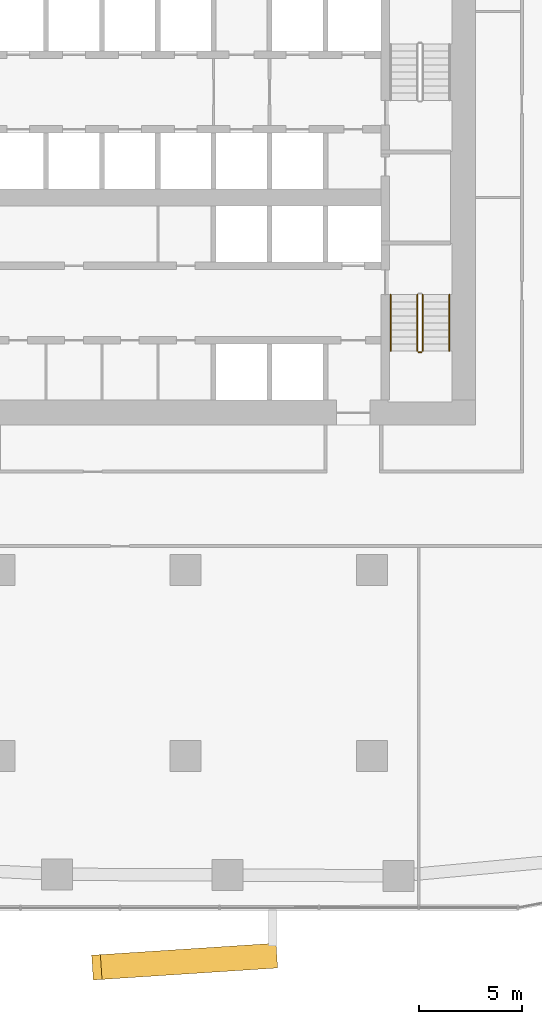
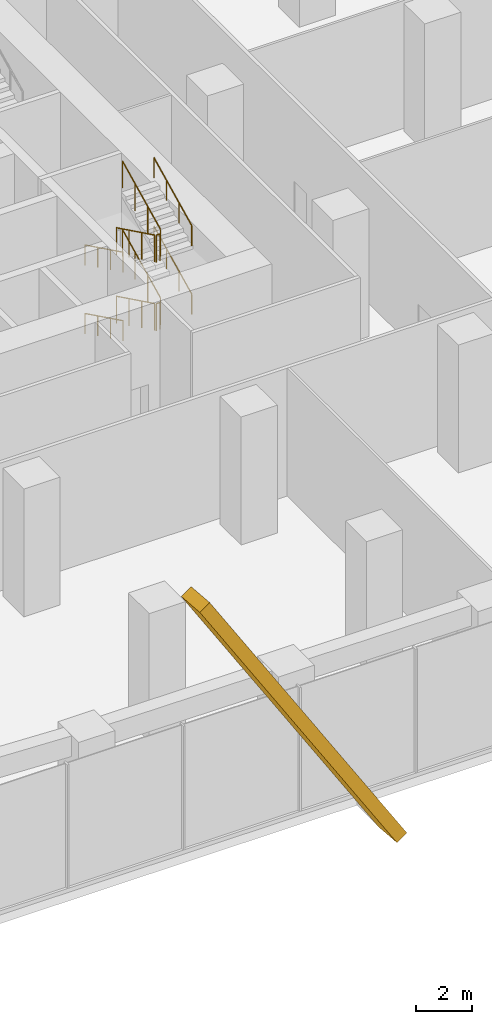
# One storey, part 16 of 19: 10 railings, 1 covering, 1 element without a shape of its own.
"""IFC4 building model written with IfcOpenShell, lengths in metres."""

from ifc_helpers import new_model, si_unit, direction, frame, origin, origin_2d, place, context, subcontext, project, spatial, rectangle, circle, extrude, material, layer, layer_set, material_profile, profile_set, type_object, element, aggregate, save


model = new_model("IFC4")

# Units and contexts
model_context = context("Model", 3, precision=1e-05, world=origin(), true_north=direction((0.0, 1.0)))
body_context = subcontext(model_context, "Body", "Model", "MODEL_VIEW")
ifc_project = project(units=[si_unit("LENGTHUNIT", "METRE"), si_unit("AREAUNIT", "SQUARE_METRE"), si_unit("VOLUMEUNIT", "CUBIC_METRE"), si_unit("PLANEANGLEUNIT", "RADIAN"), si_unit("MASSUNIT", "GRAM", prefix="KILO")], contexts=[model_context])

# Site, building, storey
site_placement = place(None, origin())
site = spatial("IfcSite", under=ifc_project, at=site_placement, CompositionType="ELEMENT")
building_placement = place(site_placement, origin())
building = spatial("IfcBuilding", under=site, at=building_placement, Name="Dongbaek Canopy Tower", CompositionType="ELEMENT")
storey_placement = place(building_placement, frame((0.0, 0.0, 38.0)))
storey = spatial("IfcBuildingStorey", under=building, at=storey_placement, Name="L05", CompositionType="ELEMENT", Elevation=38.0)

# Curtain wall, covering
ifc_material_1 = material(Name="Aluminium 6063-T6 pale anodised", Category="aluminium")
ifc_layer = layer(ifc_material_1, 0.25)
ifc_layer_set = layer_set([ifc_layer], Name="CW-4 sky-lobby curtain wall")
curtain_wall_type = type_object("IfcCurtainWallType", Name="CW-4 sky-lobby curtain wall", PredefinedType="NOTDEFINED", material=ifc_layer_set)
curtain_wall_placement = place(storey_placement, origin())
curtain_wall = element("IfcCurtainWall", 1, at=curtain_wall_placement, inside=storey, type_object=curtain_wall_type, Name="CW-4 curtain wall F4.1", PredefinedType="NOTDEFINED")
ifc_material_2 = material(Name="Aluminium 6063-T6 pale metal fin", Category="aluminium")
ifc_material_profile = material_profile(ifc_material_2, rectangle(XDim=1.199951171875, YDim=0.5, at=origin_2d()), Name="Crease fin CF1 500 x 1200 pale metal")
ifc_profile_set = profile_set([ifc_material_profile], Name="Aluminium 6063-T6 pale metal fin")
covering_type = type_object("IfcCoveringType", Name="Crease fin CF1 500 x 1200 pale metal", PredefinedType="CLADDING", material=ifc_profile_set)
covering_placement = place(storey_placement, frame((4.193603515625, -36.66162109375, -0.199951171875), z_axis=(-0.534944520024, -0.034882670752, 0.844166784337), x_axis=(0.065069821402, -0.997880713484, 0.0)))
covering = element("IfcCovering", 2, at=covering_placement, type_object=covering_type, Name="Crease fin L05 L08 F4", PredefinedType="CLADDING", context=body_context, shape_type="SweptSolid", body=[
    extrude(rectangle(XDim=1.199951171875, YDim=0.5, at=origin_2d()), origin(), (0.0, 0.0, 1.0), 15.87353515625),
])
aggregate(curtain_wall, [covering])

# Railings
ifc_material_3 = material(Name="Stainless steel tube and balusters", Category="steel")
railing_type_1 = type_object("IfcRailingType", Name="Stair guard 1200", PredefinedType="GUARDRAIL", material=ifc_material_3)
railing_1_placement = place(storey_placement, frame((11.199951171875, -4.699951171875, 0.166748046875)))
element("IfcRailing", 3, at=railing_1_placement, inside=storey, type_object=railing_type_1, Name="L05 ST-B stair guard 1", PredefinedType="GUARDRAIL", context=body_context, shape_type="SweptSolid", body=[
    extrude(circle(Radius=0.02392578125, at=origin_2d()), frame((0.0, 0.0, 1.17578125), z_axis=(0.0, -0.897929466783, 0.4401393787), x_axis=(1.0, 0.0, 0.0)), (0.0, 0.0, 1.0), 3.029052734375),
    extrude(circle(Radius=0.02099609375, at=origin_2d()), origin(), (0.0, 0.0, 1.0), 1.15185546875),
    extrude(circle(Radius=0.02099609375, at=origin_2d()), frame((0.0, -0.90673828125, 0.4443359375)), (0.0, 0.0, 1.0), 1.15185546875),
    extrude(circle(Radius=0.02099609375, at=origin_2d()), frame((0.0, -1.813232421875, 0.888916015625)), (0.0, 0.0, 1.0), 1.15185546875),
    extrude(circle(Radius=0.02099609375, at=origin_2d()), frame((0.0, -2.719970703125, 1.333251953125)), (0.0, 0.0, 1.0), 1.15185546875),
])
railing_2_placement = place(storey_placement, frame((11.25, -7.469970703125, 1.5)))
element("IfcRailing", 4, at=railing_2_placement, inside=storey, type_object=railing_type_1, Name="L05 ST-B stair guard 2", PredefinedType="GUARDRAIL", context=body_context, shape_type="SweptSolid", body=[
    extrude(circle(Radius=0.02392578125, at=origin_2d()), frame((0.0, 0.0, 1.17578125), z_axis=(1.0, 0.0, 0.0), x_axis=(0.0, 1.0, 0.0)), (0.0, 0.0, 1.0), 0.14990234375),
    extrude(circle(Radius=0.02099609375, at=origin_2d()), origin(), (0.0, 0.0, 1.0), 1.15185546875),
    extrude(circle(Radius=0.02099609375, at=origin_2d()), frame((0.14990234375, 0.0, 0.0)), (0.0, 0.0, 1.0), 1.15185546875),
])
railing_3_placement = place(storey_placement, frame((11.449951171875, -7.419921875, 1.666748046875)))
element("IfcRailing", 5, at=railing_3_placement, inside=storey, type_object=railing_type_1, Name="L05 ST-B stair guard 3", PredefinedType="GUARDRAIL", context=body_context, shape_type="SweptSolid", body=[
    extrude(circle(Radius=0.02392578125, at=origin_2d()), frame((0.0, 0.0, 1.17578125), z_axis=(0.0, 0.897929466783, 0.4401393787), x_axis=(-1.0, 0.0, 0.0)), (0.0, 0.0, 1.0), 3.029052734375),
    extrude(circle(Radius=0.02099609375, at=origin_2d()), origin(), (0.0, 0.0, 1.0), 1.15185546875),
    extrude(circle(Radius=0.02099609375, at=origin_2d()), frame((0.0, 0.90673828125, 0.4443359375)), (0.0, 0.0, 1.0), 1.15185546875),
    extrude(circle(Radius=0.02099609375, at=origin_2d()), frame((0.0, 1.813232421875, 0.888916015625)), (0.0, 0.0, 1.0), 1.15185546875),
    extrude(circle(Radius=0.02099609375, at=origin_2d()), frame((0.0, 2.719970703125, 1.333251953125)), (0.0, 0.0, 1.0), 1.15185546875),
])
railing_4_placement = place(storey_placement, frame((11.199951171875, -4.699951171875, 3.166748046875)))
element("IfcRailing", 6, at=railing_4_placement, inside=storey, type_object=railing_type_1, Name="L05 ST-B stair guard 5", PredefinedType="GUARDRAIL", context=body_context, shape_type="SweptSolid", body=[
    extrude(circle(Radius=0.02392578125, at=origin_2d()), frame((0.0, 0.0, 1.17578125), z_axis=(0.0, -0.897929466783, 0.4401393787), x_axis=(1.0, 0.0, 0.0)), (0.0, 0.0, 1.0), 3.029052734375),
    extrude(circle(Radius=0.02099609375, at=origin_2d()), origin(), (0.0, 0.0, 1.0), 1.15185546875),
    extrude(circle(Radius=0.02099609375, at=origin_2d()), frame((0.0, -0.90673828125, 0.4443359375)), (0.0, 0.0, 1.0), 1.15185546875),
    extrude(circle(Radius=0.02099609375, at=origin_2d()), frame((0.0, -1.813232421875, 0.888916015625)), (0.0, 0.0, 1.0), 1.15185546875),
    extrude(circle(Radius=0.02099609375, at=origin_2d()), frame((0.0, -2.719970703125, 1.333251953125)), (0.0, 0.0, 1.0), 1.15185546875),
])
railing_5_placement = place(storey_placement, frame((11.25, -7.469970703125, 4.5)))
element("IfcRailing", 7, at=railing_5_placement, inside=storey, type_object=railing_type_1, Name="L05 ST-B stair guard 6", PredefinedType="GUARDRAIL", context=body_context, shape_type="SweptSolid", body=[
    extrude(circle(Radius=0.02392578125, at=origin_2d()), frame((0.0, 0.0, 1.17578125), z_axis=(1.0, 0.0, 0.0), x_axis=(0.0, 1.0, 0.0)), (0.0, 0.0, 1.0), 0.14990234375),
    extrude(circle(Radius=0.02099609375, at=origin_2d()), origin(), (0.0, 0.0, 1.0), 1.15185546875),
    extrude(circle(Radius=0.02099609375, at=origin_2d()), frame((0.14990234375, 0.0, 0.0)), (0.0, 0.0, 1.0), 1.15185546875),
])
railing_6_placement = place(storey_placement, frame((11.449951171875, -7.419921875, 4.666748046875)))
element("IfcRailing", 8, at=railing_6_placement, inside=storey, type_object=railing_type_1, Name="L05 ST-B stair guard 7", PredefinedType="GUARDRAIL", context=body_context, shape_type="SweptSolid", body=[
    extrude(circle(Radius=0.02392578125, at=origin_2d()), frame((0.0, 0.0, 1.17578125), z_axis=(0.0, 0.897929466783, 0.4401393787), x_axis=(-1.0, 0.0, 0.0)), (0.0, 0.0, 1.0), 3.029052734375),
    extrude(circle(Radius=0.02099609375, at=origin_2d()), origin(), (0.0, 0.0, 1.0), 1.15185546875),
    extrude(circle(Radius=0.02099609375, at=origin_2d()), frame((0.0, 0.90673828125, 0.4443359375)), (0.0, 0.0, 1.0), 1.15185546875),
    extrude(circle(Radius=0.02099609375, at=origin_2d()), frame((0.0, 1.813232421875, 0.888916015625)), (0.0, 0.0, 1.0), 1.15185546875),
    extrude(circle(Radius=0.02099609375, at=origin_2d()), frame((0.0, 2.719970703125, 1.333251953125)), (0.0, 0.0, 1.0), 1.15185546875),
])
ifc_material_4 = material(Name="Stainless steel tube", Category="steel")
railing_type_2 = type_object("IfcRailingType", Name="Stair handrail 900", PredefinedType="HANDRAIL", material=ifc_material_4)
railing_7_placement = place(storey_placement, frame((9.89990234375, -4.699951171875, 0.166748046875)))
element("IfcRailing", 9, at=railing_7_placement, inside=storey, type_object=railing_type_2, Name="L05 ST-B stair handrail 1", PredefinedType="HANDRAIL", context=body_context, shape_type="SweptSolid", body=[
    extrude(circle(Radius=0.02392578125, at=origin_2d()), frame((0.0, 0.0, 0.8759765625), z_axis=(0.0, -0.897929466783, 0.4401393787), x_axis=(1.0, 0.0, 0.0)), (0.0, 0.0, 1.0), 3.029052734375),
    extrude(circle(Radius=0.02099609375, at=origin_2d()), origin(), (0.0, 0.0, 1.0), 0.851806640625),
    extrude(circle(Radius=0.02099609375, at=origin_2d()), frame((0.0, -0.90673828125, 0.4443359375)), (0.0, 0.0, 1.0), 0.851806640625),
    extrude(circle(Radius=0.02099609375, at=origin_2d()), frame((0.0, -1.813232421875, 0.888916015625)), (0.0, 0.0, 1.0), 0.851806640625),
    extrude(circle(Radius=0.02099609375, at=origin_2d()), frame((0.0, -2.719970703125, 1.333251953125)), (0.0, 0.0, 1.0), 0.851806640625),
])
railing_8_placement = place(storey_placement, frame((12.75, -7.419921875, 1.666748046875)))
element("IfcRailing", 10, at=railing_8_placement, inside=storey, type_object=railing_type_2, Name="L05 ST-B stair handrail 2", PredefinedType="HANDRAIL", context=body_context, shape_type="SweptSolid", body=[
    extrude(circle(Radius=0.02392578125, at=origin_2d()), frame((0.0, 0.0, 0.8759765625), z_axis=(0.0, 0.897929466783, 0.4401393787), x_axis=(-1.0, 0.0, 0.0)), (0.0, 0.0, 1.0), 3.029052734375),
    extrude(circle(Radius=0.02099609375, at=origin_2d()), origin(), (0.0, 0.0, 1.0), 0.851806640625),
    extrude(circle(Radius=0.02099609375, at=origin_2d()), frame((0.0, 0.90673828125, 0.4443359375)), (0.0, 0.0, 1.0), 0.851806640625),
    extrude(circle(Radius=0.02099609375, at=origin_2d()), frame((0.0, 1.813232421875, 0.888916015625)), (0.0, 0.0, 1.0), 0.851806640625),
    extrude(circle(Radius=0.02099609375, at=origin_2d()), frame((0.0, 2.719970703125, 1.333251953125)), (0.0, 0.0, 1.0), 0.851806640625),
])
railing_9_placement = place(storey_placement, frame((9.89990234375, -4.699951171875, 3.166748046875)))
element("IfcRailing", 11, at=railing_9_placement, inside=storey, type_object=railing_type_2, Name="L05 ST-B stair handrail 3", PredefinedType="HANDRAIL", context=body_context, shape_type="SweptSolid", body=[
    extrude(circle(Radius=0.02392578125, at=origin_2d()), frame((0.0, 0.0, 0.8759765625), z_axis=(0.0, -0.897929466783, 0.4401393787), x_axis=(1.0, 0.0, 0.0)), (0.0, 0.0, 1.0), 3.029052734375),
    extrude(circle(Radius=0.02099609375, at=origin_2d()), origin(), (0.0, 0.0, 1.0), 0.851806640625),
    extrude(circle(Radius=0.02099609375, at=origin_2d()), frame((0.0, -0.90673828125, 0.4443359375)), (0.0, 0.0, 1.0), 0.851806640625),
    extrude(circle(Radius=0.02099609375, at=origin_2d()), frame((0.0, -1.813232421875, 0.888916015625)), (0.0, 0.0, 1.0), 0.851806640625),
    extrude(circle(Radius=0.02099609375, at=origin_2d()), frame((0.0, -2.719970703125, 1.333251953125)), (0.0, 0.0, 1.0), 0.851806640625),
])
railing_10_placement = place(storey_placement, frame((12.75, -7.419921875, 4.666748046875)))
element("IfcRailing", 12, at=railing_10_placement, inside=storey, type_object=railing_type_2, Name="L05 ST-B stair handrail 4", PredefinedType="HANDRAIL", context=body_context, shape_type="SweptSolid", body=[
    extrude(circle(Radius=0.02392578125, at=origin_2d()), frame((0.0, 0.0, 0.8759765625), z_axis=(0.0, 0.897929466783, 0.4401393787), x_axis=(-1.0, 0.0, 0.0)), (0.0, 0.0, 1.0), 3.029052734375),
    extrude(circle(Radius=0.02099609375, at=origin_2d()), origin(), (0.0, 0.0, 1.0), 0.851806640625),
    extrude(circle(Radius=0.02099609375, at=origin_2d()), frame((0.0, 0.90673828125, 0.4443359375)), (0.0, 0.0, 1.0), 0.851806640625),
    extrude(circle(Radius=0.02099609375, at=origin_2d()), frame((0.0, 1.813232421875, 0.888916015625)), (0.0, 0.0, 1.0), 0.851806640625),
    extrude(circle(Radius=0.02099609375, at=origin_2d()), frame((0.0, 2.719970703125, 1.333251953125)), (0.0, 0.0, 1.0), 0.851806640625),
])

save(model, "model.ifc")
